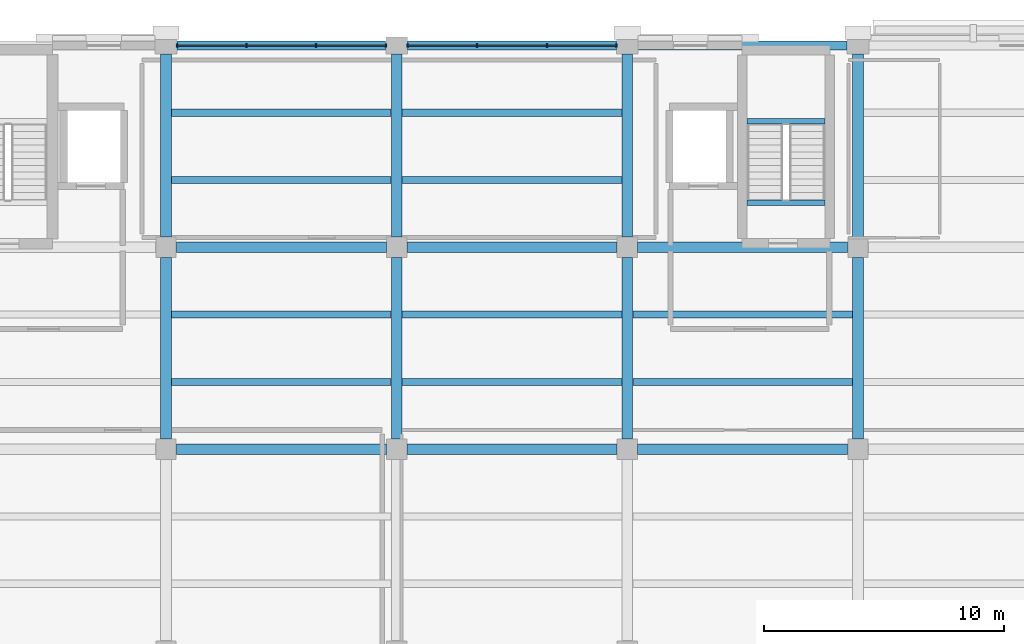
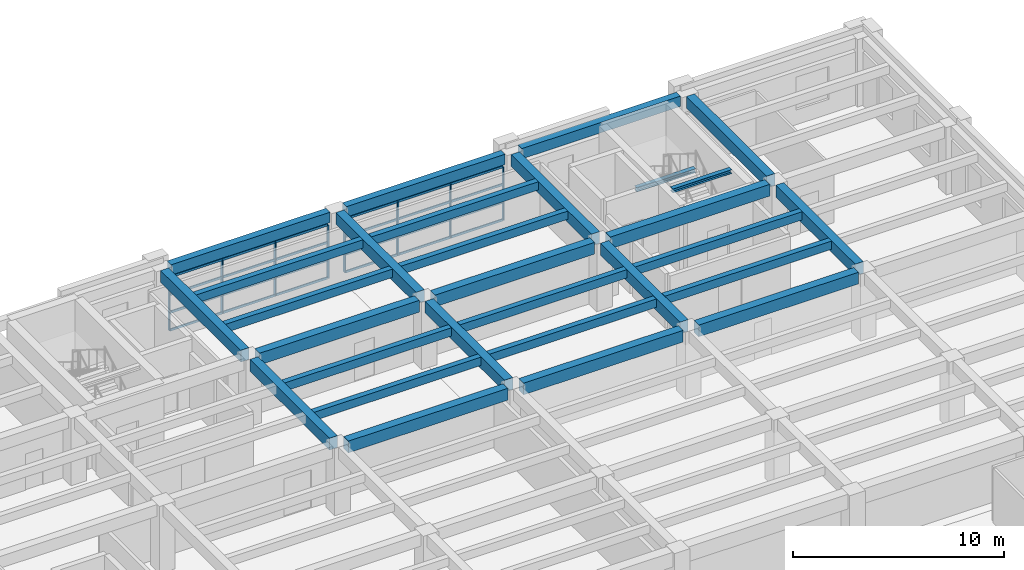
# One storey, part 31 of 71: 29 beams, 16 members, 2 elements without a shape of their own.
"""IFC4 building model written with IfcOpenShell, lengths in metres."""

import ifcopenshell
import ifcopenshell.guid

model = None  # the IFC model being written
_history = None  # IfcOwnerHistory: only IFC2X3 demands one
_inside = {}  # id of a spatial element -> (the spatial element, [elements in it])
_under = {}  # id of a project, library or spatial element -> (it, [spatial elements below it])
_declared = {}  # id of a project -> (the project, [libraries it declares])
_typed = {}  # id of a type object -> (the type object, [elements of that type])
_made_of = {}  # id of a material, layer set ... -> (it, [elements and type objects made of it])


def new_model(schema):
    """Start an empty IFC model of exactly this schema.

    Asked for "IFC4X3", IfcOpenShell would pick the latest addendum, in which some entities
    have other attributes; the version numbers below select the first issue.
    IFC2X3 requires an IfcOwnerHistory on every rooted entity: one is made here for all.
    """
    global model, _history
    if schema == "IFC4X3":
        model = ifcopenshell.file(schema_version=(4, 3, 0, 0))
    else:
        model = ifcopenshell.file(schema=schema)
    _inside.clear()
    _under.clear()
    _declared.clear()
    _typed.clear()
    _made_of.clear()
    _history = None
    if model.schema == "IFC2X3":
        org = make("IfcOrganization", Name="unknown")
        user = make(
            "IfcPersonAndOrganization",
            ThePerson=make("IfcPerson", FamilyName="unknown"),
            TheOrganization=org,
        )
        app = make(
            "IfcApplication",
            ApplicationDeveloper=org,
            Version="unknown",
            ApplicationFullName="unknown",
            ApplicationIdentifier="unknown",
        )
        _history = make(
            "IfcOwnerHistory",
            OwningUser=user,
            OwningApplication=app,
            ChangeAction="ADDED",
            CreationDate=0,
        )
    return model


def make(cls, **values):
    """One entity of the class cls with the attributes given. An attribute that is None is left unset."""
    return model.create_entity(
        cls, **{name: value for name, value in values.items() if value is not None}
    )


def rooted(cls, **values):
    """An entity with a GlobalId (a new one), such as an element, a storey or a relation."""
    return make(cls, GlobalId=ifcopenshell.guid.new(), OwnerHistory=_history, **values)


def si_unit(unit_type, name, prefix=None):
    """IfcSIUnit, for example si_unit("LENGTHUNIT", "METRE", prefix="MILLI")."""
    return make("IfcSIUnit", UnitType=unit_type, Prefix=prefix, Name=name)


def assignment(units):
    """IfcUnitAssignment: the units of a project."""
    return None if units is None else make("IfcUnitAssignment", Units=units)


def point(xyz):
    """IfcCartesianPoint."""
    return None if xyz is None else make("IfcCartesianPoint", Coordinates=xyz)


def direction(xyz):
    """IfcDirection."""
    return None if xyz is None else make("IfcDirection", DirectionRatios=xyz)


def frame(location, z_axis=None, x_axis=None):
    """IfcAxis2Placement3D, a coordinate frame: its origin and axes. An axis left out is left unset."""
    return make(
        "IfcAxis2Placement3D",
        Location=point(location),
        Axis=direction(z_axis),
        RefDirection=direction(x_axis),
    )


def frame_2d(location, x_axis=None):
    """IfcAxis2Placement2D, a coordinate frame in the plane: its origin and x axis."""
    return make(
        "IfcAxis2Placement2D", Location=point(location), RefDirection=direction(x_axis)
    )


def origin():
    """The frame at (0, 0, 0) with its axes left unset."""
    return frame((0.0, 0.0, 0.0))


def origin_2d():
    """The frame at (0, 0) in the plane with its x axis left unset."""
    return frame_2d((0.0, 0.0))


def place(relative_to, where):
    """IfcLocalPlacement: puts the frame where relative to a parent placement (None: the world)."""
    return make(
        "IfcLocalPlacement", PlacementRelTo=relative_to, RelativePlacement=where
    )


def context(
    kind, dimensions, precision=None, world=None, true_north=None, identifier=None
):
    """IfcGeometricRepresentationContext, for example the 3D "Model" context."""
    return make(
        "IfcGeometricRepresentationContext",
        ContextIdentifier=identifier,
        ContextType=kind,
        CoordinateSpaceDimension=dimensions,
        Precision=precision,
        WorldCoordinateSystem=world,
        TrueNorth=true_north,
    )


def subcontext(parent, identifier, kind, view, scale=None):
    """IfcGeometricRepresentationSubContext, for example "Body" below "Model"."""
    return make(
        "IfcGeometricRepresentationSubContext",
        ContextIdentifier=identifier,
        ContextType=kind,
        ParentContext=parent,
        TargetScale=scale,
        TargetView=view,
    )


def project(units=None, contexts=None):
    """IfcProject with its units and contexts."""
    return rooted(
        "IfcProject",
        Name="project",
        RepresentationContexts=contexts,
        UnitsInContext=assignment(units),
    )


def spatial(cls, under=None, at=None, **own):
    """A site, building, storey or space (cls), placed at a placement, below another one or the project."""
    s = rooted(cls, ObjectPlacement=at, **own)
    if under is not None:
        _under.setdefault(under.id(), (under, []))[1].append(s)
    return s


def profile(cls, at=None, kind="AREA", **sizes):
    """A parametric profile (cls). Its sizes go by their IFC names, for example OverallWidth=200.0."""
    return make(cls, ProfileType=kind, Position=at, **sizes)


def rectangle(**sizes):
    """IfcRectangleProfileDef."""
    return profile("IfcRectangleProfileDef", **sizes)


def i_section(**sizes):
    """IfcIShapeProfileDef."""
    return profile("IfcIShapeProfileDef", **sizes)


def extrude(swept, where, along, depth):
    """IfcExtrudedAreaSolid: the profile swept, set in the frame where, extruded along a direction by depth."""
    return make(
        "IfcExtrudedAreaSolid",
        SweptArea=swept,
        Position=where,
        ExtrudedDirection=direction(along),
        Depth=depth,
    )


def shape(context_of_items, identifier, shape_type, items):
    """IfcShapeRepresentation: the items that make up one representation, for example the "Body"."""
    return make(
        "IfcShapeRepresentation",
        ContextOfItems=context_of_items,
        RepresentationIdentifier=identifier,
        RepresentationType=shape_type,
        Items=items,
    )


def material(Name=None, Category=None):
    """IfcMaterial."""
    return make("IfcMaterial", Name=Name, Category=Category)


def layer(
    of_material, thickness, ventilated=None, Name=None, Category=None, Priority=None
):
    """IfcMaterialLayer: one layer of a wall or slab, of a material (None: an air gap)."""
    return make(
        "IfcMaterialLayer",
        Material=of_material,
        LayerThickness=thickness,
        IsVentilated=ventilated,
        Name=Name,
        Category=Category,
        Priority=Priority,
    )


def layer_set(layers, Name=None):
    """IfcMaterialLayerSet."""
    return make("IfcMaterialLayerSet", MaterialLayers=layers, LayerSetName=Name)


def material_profile(
    of_material, cross_section, Name=None, Category=None, Priority=None
):
    """IfcMaterialProfile: a cross section and its material."""
    return make(
        "IfcMaterialProfile",
        Name=Name,
        Material=of_material,
        Profile=cross_section,
        Priority=Priority,
        Category=Category,
    )


def profile_set(profiles, Name=None, composite=None):
    """IfcMaterialProfileSet."""
    return make(
        "IfcMaterialProfileSet",
        Name=Name,
        MaterialProfiles=profiles,
        CompositeProfile=composite,
    )


def made_of(thing, what):
    """Note that an element or type object is made of a material, layer set ...; save() writes the relation."""
    if what is not None:
        _made_of.setdefault(what.id(), (what, []))[1].append(thing)
    return thing


def type_object(cls, material=None, **own):
    """A type object (cls), such as IfcWallType, which elements share."""
    return made_of(rooted(cls, **own), material)


def element(
    cls,
    number,
    at=None,
    inside=None,
    cuts=None,
    type_object=None,
    material=None,
    context=None,
    identifier="Body",
    shape_type=None,
    held_by="IfcProductDefinitionShape",
    body=None,
    shapes=None,
    **own,
):
    """One element of the class cls, such as IfcWall. Its Tag is "e" and its number.

    at: its placement. inside: the storey or other place that contains it. cuts: it is an
    opening in that element (IfcRelVoidsElement). A single representation is given by context,
    identifier, shape_type and body (its items); several are given by shapes. held_by: the class
    of the entity that holds the representations. save() writes the other relations.
    """
    e = rooted(cls, Tag="e%d" % number, ObjectPlacement=at, **own)
    if body is not None:
        shapes = [shape(context, identifier, shape_type, body)]
    if shapes is not None:
        e.Representation = make(held_by, Representations=shapes)
    if inside is not None:
        _inside.setdefault(inside.id(), (inside, []))[1].append(e)
    if cuts is not None:
        rooted(
            "IfcRelVoidsElement", RelatingBuildingElement=cuts, RelatedOpeningElement=e
        )
    if type_object is not None:
        _typed.setdefault(type_object.id(), (type_object, []))[1].append(e)
    return made_of(e, material)


def aggregate(whole, parts):
    """IfcRelAggregates: a whole, such as a stair, and the parts it consists of."""
    return rooted("IfcRelAggregates", RelatingObject=whole, RelatedObjects=parts)


def save(model, path):
    """Write the relations noted so far, then the file.

    IfcRelAggregates (storeys below a building ...), IfcRelContainedInSpatialStructure (elements
    in a storey), IfcRelDefinesByType, IfcRelAssociatesMaterial and IfcRelDeclares: one each for
    every whole, place, type object, material and project.
    """
    for whole, parts in _under.values():
        aggregate(whole, parts)
    for where, things in _inside.values():
        rooted(
            "IfcRelContainedInSpatialStructure",
            RelatedElements=things,
            RelatingStructure=where,
        )
    for kind, things in _typed.values():
        rooted("IfcRelDefinesByType", RelatedObjects=things, RelatingType=kind)
    for what, things in _made_of.values():
        rooted("IfcRelAssociatesMaterial", RelatedObjects=things, RelatingMaterial=what)
    for by, libraries in _declared.values():
        rooted("IfcRelDeclares", RelatingContext=by, RelatedDefinitions=libraries)
    model.write(path)


model = new_model("IFC4")

# Units and contexts
model_context = context("Model", 3, precision=1e-05, world=origin(), true_north=direction((0.0, 1.0)))
body_context = subcontext(model_context, "Body", "Model", "MODEL_VIEW")
ifc_project = project(units=[si_unit("LENGTHUNIT", "METRE"), si_unit("AREAUNIT", "SQUARE_METRE"), si_unit("VOLUMEUNIT", "CUBIC_METRE"), si_unit("PLANEANGLEUNIT", "RADIAN"), si_unit("MASSUNIT", "GRAM", prefix="KILO")], contexts=[model_context])

# Site, building, storey
site_placement = place(None, origin())
site = spatial("IfcSite", under=ifc_project, at=site_placement, CompositionType="ELEMENT")
building_placement = place(site_placement, origin())
building = spatial("IfcBuilding", under=site, at=building_placement, Name="Bempovik Park Faculty of Sciences", CompositionType="ELEMENT")
storey_placement = place(building_placement, frame((0.0, 0.0, 14.10009765625)))
storey = spatial("IfcBuildingStorey", under=building, at=storey_placement, Name="L03", CompositionType="ELEMENT", Elevation=14.10009765625)

# Beams
ifc_material_1 = material(Name="Concrete C35/45", Category="concrete")
ifc_material_profile_1 = material_profile(ifc_material_1, rectangle(XDim=0.3798828125, YDim=0.60009765625, at=origin_2d()), Name="RC 380x600")
ifc_profile_set_1 = profile_set([ifc_material_profile_1], Name="Concrete C35/45")
beam_type_1 = type_object("IfcBeamType", Name="B-032 RC 380x600", PredefinedType="SPANDREL", material=ifc_profile_set_1)
for number, where, z_axis, x_axis, name in (
    (1, (79.656005859375, 119.39990234375, 3.599853515625), (1.0, 0.0, 0.0), (0.0, 1.0, 0.0), "L03 Beam X (79.2-88.8, y=119.4)"),
    (2, (89.256103515625, 119.39990234375, 3.599853515625), (1.0, 0.0, 0.0), (0.0, 1.0, 0.0), "L03 Beam X (88.8-98.4, y=119.4)"),
    (3, (98.85595703125, 119.39990234375, 3.599853515625), (1.0, 0.0, 0.0), (0.0, 1.0, 0.0), "L03 Beam X (98.4-108.0, y=119.4)"),
):
    element("IfcBeam", number, at=place(storey_placement, frame(where, z_axis=z_axis, x_axis=x_axis)), inside=storey, type_object=beam_type_1, Name=name, PredefinedType="SPANDREL", context=body_context, shape_type="SweptSolid", body=[
        extrude(rectangle(XDim=0.3798828125, YDim=0.60009765625, at=origin_2d()), origin(), (0.0, 0.0, 1.0), 8.68798828125),
    ])
ifc_material_profile_2 = material_profile(ifc_material_1, rectangle(XDim=0.300048828125, YDim=0.47998046875, at=origin_2d()), Name="RC 300x480")
ifc_profile_set_2 = profile_set([ifc_material_profile_2], Name="Concrete C35/45")
beam_type_2 = type_object("IfcBeamType", Name="B-039 RC 300x480", PredefinedType="JOIST", material=ifc_profile_set_2)
for number, where, z_axis, x_axis, name in (
    (4, (79.430908203125, 105.39990234375, 3.659912109375), (1.0, 0.0, 0.0), (0.0, 1.0, 0.0), "L03 Secondary Joist (79.2-88.8, y=105.40)"),
    (5, (79.430908203125, 108.199951171875, 3.659912109375), (1.0, 0.0, 0.0), (0.0, 1.0, 0.0), "L03 Secondary Joist (79.2-88.8, y=108.20)"),
    (6, (79.430908203125, 113.800048828125, 3.659912109375), (1.0, 0.0, 0.0), (0.0, 1.0, 0.0), "L03 Secondary Joist (79.2-88.8, y=113.80)"),
    (7, (79.430908203125, 116.60009765625, 3.659912109375), (1.0, 0.0, 0.0), (0.0, 1.0, 0.0), "L03 Secondary Joist (79.2-88.8, y=116.60)"),
):
    element("IfcBeam", number, at=place(storey_placement, frame(where, z_axis=z_axis, x_axis=x_axis)), inside=storey, type_object=beam_type_2, Name=name, PredefinedType="JOIST", context=body_context, shape_type="SweptSolid", body=[
        extrude(rectangle(XDim=0.300048828125, YDim=0.47998046875, at=origin_2d()), origin(), (0.0, 0.0, 1.0), 9.13818359375),
    ])
for number, where, z_axis, x_axis, name in (
    (8, (89.031005859375, 105.39990234375, 3.659912109375), (1.0, 0.0, 0.0), (0.0, 1.0, 0.0), "L03 Secondary Joist (88.8-98.4, y=105.40)"),
    (9, (89.031005859375, 108.199951171875, 3.659912109375), (1.0, 0.0, 0.0), (0.0, 1.0, 0.0), "L03 Secondary Joist (88.8-98.4, y=108.20)"),
    (10, (89.031005859375, 113.800048828125, 3.659912109375), (1.0, 0.0, 0.0), (0.0, 1.0, 0.0), "L03 Secondary Joist (88.8-98.4, y=113.80)"),
    (11, (89.031005859375, 116.60009765625, 3.659912109375), (1.0, 0.0, 0.0), (0.0, 1.0, 0.0), "L03 Secondary Joist (88.8-98.4, y=116.60)"),
    (12, (98.631103515625, 105.39990234375, 3.659912109375), (1.0, 0.0, 0.0), (0.0, 1.0, 0.0), "L03 Secondary Joist (98.4-108.0, y=105.40)"),
    (13, (98.631103515625, 108.199951171875, 3.659912109375), (1.0, 0.0, 0.0), (0.0, 1.0, 0.0), "L03 Secondary Joist (98.4-108.0, y=108.20)"),
):
    element("IfcBeam", number, at=place(storey_placement, frame(where, z_axis=z_axis, x_axis=x_axis)), inside=storey, type_object=beam_type_2, Name=name, PredefinedType="JOIST", context=body_context, shape_type="SweptSolid", body=[
        extrude(rectangle(XDim=0.300048828125, YDim=0.47998046875, at=origin_2d()), origin(), (0.0, 0.0, 1.0), 9.137939453125),
    ])
ifc_material_2 = material(Name="Steel S355", Category="steel")
ifc_material_profile_3 = material_profile(ifc_material_2, i_section(OverallWidth=0.239990234375, OverallDepth=0.22998046875, WebThickness=0.007568359375, FlangeThickness=0.011962890625, at=origin_2d()), Name="HEA 240")
ifc_profile_set_3 = profile_set([ifc_material_profile_3], Name="Steel S355")
beam_type_3 = type_object("IfcBeamType", Name="B-070 HEA 240", PredefinedType="BEAM", material=ifc_profile_set_3)
for number, where, z_axis, x_axis, name in (
    (14, (103.381103515625, 116.24365234375, 1.784912109375), (1.0, 0.0, 0.0), (0.0, 1.0, 0.0), "L03 ST-2 Half-Landing Trimmer Beam"),
    (15, (103.381103515625, 112.85009765625, 3.784912109375), (1.0, 0.0, 0.0), (0.0, 1.0, 0.0), "L04 ST-2 Floor Landing Trimmer Beam"),
):
    element("IfcBeam", number, at=place(storey_placement, frame(where, z_axis=z_axis, x_axis=x_axis)), inside=storey, type_object=beam_type_3, Name=name, PredefinedType="BEAM", context=body_context, shape_type="SweptSolid", body=[
        extrude(i_section(OverallWidth=0.239990234375, OverallDepth=0.22998046875, WebThickness=0.007568359375, FlangeThickness=0.011962890625, at=origin_2d()), origin(), (0.0, 0.0, 1.0), 3.23779296875),
    ])
ifc_material_profile_4 = material_profile(ifc_material_1, rectangle(XDim=0.449951171875, YDim=0.679931640625, at=origin_2d()), Name="RC 450x680")
ifc_profile_set_4 = profile_set([ifc_material_profile_4], Name="Concrete C35/45")
beam_type_4 = type_object("IfcBeamType", Name="B-113 RC 450x680", PredefinedType="BEAM", material=ifc_profile_set_4)
beam_1_placement = place(storey_placement, frame((79.631103515625, 102.60009765625, 3.559814453125), z_axis=(1.0, 0.0, 0.0), x_axis=(0.0, 1.0, 0.0)))
element("IfcBeam", 16, at=beam_1_placement, inside=storey, type_object=beam_type_4, Name="L03 Beam X (79.2-88.8, y=102.6)", PredefinedType="BEAM", context=body_context, shape_type="SweptSolid", body=[
    extrude(rectangle(XDim=0.449951171875, YDim=0.679931640625, at=origin_2d()), origin(), (0.0, 0.0, 1.0), 8.73779296875),
])
for number, where, z_axis, x_axis, name in (
    (17, (89.23095703125, 102.60009765625, 3.559814453125), (1.0, 0.0, 0.0), (0.0, 1.0, 0.0), "L03 Beam X (88.8-98.4, y=102.6)"),
    (18, (98.8310546875, 102.60009765625, 3.559814453125), (1.0, 0.0, 0.0), (0.0, 1.0, 0.0), "L03 Beam X (98.4-108.0, y=102.6)"),
):
    element("IfcBeam", number, at=place(storey_placement, frame(where, z_axis=z_axis, x_axis=x_axis)), inside=storey, type_object=beam_type_4, Name=name, PredefinedType="BEAM", context=body_context, shape_type="SweptSolid", body=[
        extrude(rectangle(XDim=0.449951171875, YDim=0.679931640625, at=origin_2d()), origin(), (0.0, 0.0, 1.0), 8.738037109375),
    ])
beam_2_placement = place(storey_placement, frame((79.631103515625, 111.0, 3.559814453125), z_axis=(1.0, 0.0, 0.0), x_axis=(0.0, 1.0, 0.0)))
element("IfcBeam", 19, at=beam_2_placement, inside=storey, type_object=beam_type_4, Name="L03 Beam X (79.2-88.8, y=111.0)", PredefinedType="BEAM", context=body_context, shape_type="SweptSolid", body=[
    extrude(rectangle(XDim=0.449951171875, YDim=0.679931640625, at=origin_2d()), origin(), (0.0, 0.0, 1.0), 8.73779296875),
])
for number, where, z_axis, x_axis, name in (
    (20, (89.23095703125, 111.0, 3.559814453125), (1.0, 0.0, 0.0), (0.0, 1.0, 0.0), "L03 Beam X (88.8-98.4, y=111.0)"),
    (21, (98.8310546875, 111.0, 3.559814453125), (1.0, 0.0, 0.0), (0.0, 1.0, 0.0), "L03 Beam X (98.4-108.0, y=111.0)"),
):
    element("IfcBeam", number, at=place(storey_placement, frame(where, z_axis=z_axis, x_axis=x_axis)), inside=storey, type_object=beam_type_4, Name=name, PredefinedType="BEAM", context=body_context, shape_type="SweptSolid", body=[
        extrude(rectangle(XDim=0.449951171875, YDim=0.679931640625, at=origin_2d()), origin(), (0.0, 0.0, 1.0), 8.738037109375),
    ])
beam_3_placement = place(storey_placement, frame((79.199951171875, 103.031005859375, 3.559814453125), z_axis=(0.0, 1.0, 0.0), x_axis=(-1.0, 0.0, 0.0)))
element("IfcBeam", 22, at=beam_3_placement, inside=storey, type_object=beam_type_4, Name="L03 Beam Y (x=79.2, 102.6-111.0)", PredefinedType="BEAM", context=body_context, shape_type="SweptSolid", body=[
    extrude(rectangle(XDim=0.449951171875, YDim=0.679931640625, at=origin_2d()), origin(), (0.0, 0.0, 1.0), 7.5380859375),
])
beam_4_placement = place(storey_placement, frame((79.199951171875, 111.430908203125, 3.559814453125), z_axis=(0.0, 1.0, 0.0), x_axis=(-1.0, 0.0, 0.0)))
element("IfcBeam", 23, at=beam_4_placement, inside=storey, type_object=beam_type_4, Name="L03 Beam Y (x=79.2, 111.0-119.4)", PredefinedType="BEAM", context=body_context, shape_type="SweptSolid", body=[
    extrude(rectangle(XDim=0.449951171875, YDim=0.679931640625, at=origin_2d()), origin(), (0.0, 0.0, 1.0), 7.613037109375),
])
beam_5_placement = place(storey_placement, frame((88.800048828125, 103.031005859375, 3.559814453125), z_axis=(0.0, 1.0, 0.0), x_axis=(-1.0, 0.0, 0.0)))
element("IfcBeam", 24, at=beam_5_placement, inside=storey, type_object=beam_type_4, Name="L03 Beam Y (x=88.8, 102.6-111.0)", PredefinedType="BEAM", context=body_context, shape_type="SweptSolid", body=[
    extrude(rectangle(XDim=0.449951171875, YDim=0.679931640625, at=origin_2d()), origin(), (0.0, 0.0, 1.0), 7.5380859375),
])
beam_6_placement = place(storey_placement, frame((88.800048828125, 111.430908203125, 3.559814453125), z_axis=(0.0, 1.0, 0.0), x_axis=(-1.0, 0.0, 0.0)))
element("IfcBeam", 25, at=beam_6_placement, inside=storey, type_object=beam_type_4, Name="L03 Beam Y (x=88.8, 111.0-119.4)", PredefinedType="BEAM", context=body_context, shape_type="SweptSolid", body=[
    extrude(rectangle(XDim=0.449951171875, YDim=0.679931640625, at=origin_2d()), origin(), (0.0, 0.0, 1.0), 7.613037109375),
])
beam_7_placement = place(storey_placement, frame((98.39990234375, 103.031005859375, 3.559814453125), z_axis=(0.0, 1.0, 0.0), x_axis=(-1.0, 0.0, 0.0)))
element("IfcBeam", 26, at=beam_7_placement, inside=storey, type_object=beam_type_4, Name="L03 Beam Y (x=98.4, 102.6-111.0)", PredefinedType="BEAM", context=body_context, shape_type="SweptSolid", body=[
    extrude(rectangle(XDim=0.449951171875, YDim=0.679931640625, at=origin_2d()), origin(), (0.0, 0.0, 1.0), 7.5380859375),
])
beam_8_placement = place(storey_placement, frame((98.39990234375, 111.430908203125, 3.559814453125), z_axis=(0.0, 1.0, 0.0), x_axis=(-1.0, 0.0, 0.0)))
element("IfcBeam", 27, at=beam_8_placement, inside=storey, type_object=beam_type_4, Name="L03 Beam Y (x=98.4, 111.0-119.4)", PredefinedType="BEAM", context=body_context, shape_type="SweptSolid", body=[
    extrude(rectangle(XDim=0.449951171875, YDim=0.679931640625, at=origin_2d()), origin(), (0.0, 0.0, 1.0), 7.613037109375),
])
beam_9_placement = place(storey_placement, frame((108.0, 103.031005859375, 3.559814453125), z_axis=(0.0, 1.0, 0.0), x_axis=(-1.0, 0.0, 0.0)))
element("IfcBeam", 28, at=beam_9_placement, inside=storey, type_object=beam_type_4, Name="L03 Beam Y (x=108.0, 102.6-111.0)", PredefinedType="BEAM", context=body_context, shape_type="SweptSolid", body=[
    extrude(rectangle(XDim=0.449951171875, YDim=0.679931640625, at=origin_2d()), origin(), (0.0, 0.0, 1.0), 7.5380859375),
])
beam_10_placement = place(storey_placement, frame((108.0, 111.430908203125, 3.559814453125), z_axis=(0.0, 1.0, 0.0), x_axis=(-1.0, 0.0, 0.0)))
element("IfcBeam", 29, at=beam_10_placement, inside=storey, type_object=beam_type_4, Name="L03 Beam Y (x=108.0, 111.0-119.4)", PredefinedType="BEAM", context=body_context, shape_type="SweptSolid", body=[
    extrude(rectangle(XDim=0.449951171875, YDim=0.679931640625, at=origin_2d()), origin(), (0.0, 0.0, 1.0), 7.613037109375),
])

# Curtain wall, members
ifc_material_3 = material(Name="Tempered laminated low-E glass", Category="glass")
ifc_layer = layer(ifc_material_3, 0.159912109375)
ifc_layer_set = layer_set([ifc_layer], Name="Tempered laminated low-E glass")
curtain_wall_type = type_object("IfcCurtainWallType", Name="CW-24 Curtain 7000x3500", PredefinedType="USERDEFINED", material=ifc_layer_set)
curtain_wall_1_placement = place(storey_placement, origin())
curtain_wall_1 = element("IfcCurtainWall", 30, at=curtain_wall_1_placement, inside=storey, type_object=curtain_wall_type, Name="L03 Unitised Curtain Wall (119.4,79.2)", ObjectType="UNITISED CURTAIN WALL", PredefinedType="USERDEFINED")
ifc_material_4 = material(Name="Anodised architectural bronze", Category="aluminium")
ifc_material_profile_5 = material_profile(ifc_material_4, rectangle(XDim=0.06005859375, YDim=0.159912109375, at=origin_2d()), Name="ALU-M 60x160")
ifc_profile_set_5 = profile_set([ifc_material_profile_5], Name="Anodised architectural bronze")
member_type_1 = type_object("IfcMemberType", Name="ML-21 ALU-M 60x160", PredefinedType="MULLION", material=ifc_profile_set_5)
member_1_placement = place(storey_placement, frame((79.652099609375, 119.39990234375, 0.0), z_axis=(0.0, 0.0, 1.0), x_axis=(1.0, 0.0, 0.0)))
member_1 = element("IfcMember", 31, at=member_1_placement, type_object=member_type_1, Name="CW-BAY-L03-1194-792 Mullion 0", PredefinedType="MULLION", context=body_context, shape_type="SweptSolid", body=[
    extrude(rectangle(XDim=0.06005859375, YDim=0.159912109375, at=origin_2d()), origin(), (0.0, 0.0, 1.0), 3.079833984375),
])
member_2_placement = place(storey_placement, frame((82.55078125, 119.39990234375, 0.0), z_axis=(0.0, 0.0, 1.0), x_axis=(1.0, 0.0, 0.0)))
member_2 = element("IfcMember", 32, at=member_2_placement, type_object=member_type_1, Name="CW-BAY-L03-1194-792 Mullion 1", PredefinedType="MULLION", context=body_context, shape_type="SweptSolid", body=[
    extrude(rectangle(XDim=0.06005859375, YDim=0.159912109375, at=origin_2d()), origin(), (0.0, 0.0, 1.0), 3.079833984375),
])
member_3_placement = place(storey_placement, frame((85.44921875, 119.39990234375, 0.0), z_axis=(0.0, 0.0, 1.0), x_axis=(1.0, 0.0, 0.0)))
member_3 = element("IfcMember", 33, at=member_3_placement, type_object=member_type_1, Name="CW-BAY-L03-1194-792 Mullion 2", PredefinedType="MULLION", context=body_context, shape_type="SweptSolid", body=[
    extrude(rectangle(XDim=0.06005859375, YDim=0.159912109375, at=origin_2d()), origin(), (0.0, 0.0, 1.0), 3.079833984375),
])
member_4_placement = place(storey_placement, frame((88.347900390625, 119.39990234375, 0.0), z_axis=(0.0, 0.0, 1.0), x_axis=(1.0, 0.0, 0.0)))
member_4 = element("IfcMember", 34, at=member_4_placement, type_object=member_type_1, Name="CW-BAY-L03-1194-792 Mullion 3", PredefinedType="MULLION", context=body_context, shape_type="SweptSolid", body=[
    extrude(rectangle(XDim=0.06005859375, YDim=0.159912109375, at=origin_2d()), origin(), (0.0, 0.0, 1.0), 3.079833984375),
])

curtain_wall_2_placement = place(storey_placement, origin())
curtain_wall_2 = element("IfcCurtainWall", 35, at=curtain_wall_2_placement, inside=storey, type_object=curtain_wall_type, Name="L03 Unitised Curtain Wall (119.4,88.8)", ObjectType="UNITISED CURTAIN WALL", PredefinedType="USERDEFINED")
member_5_placement = place(storey_placement, frame((89.251953125, 119.39990234375, 0.0), z_axis=(0.0, 0.0, 1.0), x_axis=(1.0, 0.0, 0.0)))
member_5 = element("IfcMember", 36, at=member_5_placement, type_object=member_type_1, Name="CW-BAY-L03-1194-888 Mullion 0", PredefinedType="MULLION", context=body_context, shape_type="SweptSolid", body=[
    extrude(rectangle(XDim=0.06005859375, YDim=0.159912109375, at=origin_2d()), origin(), (0.0, 0.0, 1.0), 3.079833984375),
])
member_6_placement = place(storey_placement, frame((92.150634765625, 119.39990234375, 0.0), z_axis=(0.0, 0.0, 1.0), x_axis=(1.0, 0.0, 0.0)))
member_6 = element("IfcMember", 37, at=member_6_placement, type_object=member_type_1, Name="CW-BAY-L03-1194-888 Mullion 1", PredefinedType="MULLION", context=body_context, shape_type="SweptSolid", body=[
    extrude(rectangle(XDim=0.06005859375, YDim=0.159912109375, at=origin_2d()), origin(), (0.0, 0.0, 1.0), 3.079833984375),
])
member_7_placement = place(storey_placement, frame((95.04931640625, 119.39990234375, 0.0), z_axis=(0.0, 0.0, 1.0), x_axis=(1.0, 0.0, 0.0)))
member_7 = element("IfcMember", 38, at=member_7_placement, type_object=member_type_1, Name="CW-BAY-L03-1194-888 Mullion 2", PredefinedType="MULLION", context=body_context, shape_type="SweptSolid", body=[
    extrude(rectangle(XDim=0.06005859375, YDim=0.159912109375, at=origin_2d()), origin(), (0.0, 0.0, 1.0), 3.079833984375),
])
member_8_placement = place(storey_placement, frame((97.947998046875, 119.39990234375, 0.0), z_axis=(0.0, 0.0, 1.0), x_axis=(1.0, 0.0, 0.0)))
member_8 = element("IfcMember", 39, at=member_8_placement, type_object=member_type_1, Name="CW-BAY-L03-1194-888 Mullion 3", PredefinedType="MULLION", context=body_context, shape_type="SweptSolid", body=[
    extrude(rectangle(XDim=0.06005859375, YDim=0.159912109375, at=origin_2d()), origin(), (0.0, 0.0, 1.0), 3.079833984375),
])

# Member
ifc_material_profile_6 = material_profile(ifc_material_4, rectangle(XDim=0.06005859375, YDim=0.1298828125, at=origin_2d()), Name="ALU-T 60x130")
ifc_profile_set_6 = profile_set([ifc_material_profile_6], Name="Anodised architectural bronze")
member_type_2 = type_object("IfcMemberType", Name="TR-25 ALU-T 60x130", PredefinedType="USERDEFINED", material=ifc_profile_set_6)
member_9_placement = place(storey_placement, frame((79.69189453125, 119.39990234375, 0.0), z_axis=(1.0, 0.0, 0.0), x_axis=(0.0, 1.0, 0.0)))
member_9 = element("IfcMember", 40, at=member_9_placement, type_object=member_type_2, Name="CW-BAY-L03-1194-792 Transom 0", ObjectType="TRANSOM", PredefinedType="USERDEFINED", context=body_context, shape_type="SweptSolid", body=[
    extrude(rectangle(XDim=0.06005859375, YDim=0.1298828125, at=origin_2d()), origin(), (0.0, 0.0, 1.0), 8.6162109375),
])

member_10_placement = place(storey_placement, frame((79.69189453125, 119.39990234375, 1.026611328125), z_axis=(1.0, 0.0, 0.0), x_axis=(0.0, 1.0, 0.0)))
member_10 = element("IfcMember", 41, at=member_10_placement, type_object=member_type_2, Name="CW-BAY-L03-1194-792 Transom 1", ObjectType="TRANSOM", PredefinedType="USERDEFINED", context=body_context, shape_type="SweptSolid", body=[
    extrude(rectangle(XDim=0.06005859375, YDim=0.1298828125, at=origin_2d()), origin(), (0.0, 0.0, 1.0), 8.6162109375),
])

member_11_placement = place(storey_placement, frame((79.69189453125, 119.39990234375, 2.05322265625), z_axis=(1.0, 0.0, 0.0), x_axis=(0.0, 1.0, 0.0)))
member_11 = element("IfcMember", 42, at=member_11_placement, type_object=member_type_2, Name="CW-BAY-L03-1194-792 Transom 2", ObjectType="TRANSOM", PredefinedType="USERDEFINED", context=body_context, shape_type="SweptSolid", body=[
    extrude(rectangle(XDim=0.06005859375, YDim=0.1298828125, at=origin_2d()), origin(), (0.0, 0.0, 1.0), 8.6162109375),
])

member_12_placement = place(storey_placement, frame((79.69189453125, 119.39990234375, 3.079833984375), z_axis=(1.0, 0.0, 0.0), x_axis=(0.0, 1.0, 0.0)))
member_12 = element("IfcMember", 43, at=member_12_placement, type_object=member_type_2, Name="CW-BAY-L03-1194-792 Transom 3", ObjectType="TRANSOM", PredefinedType="USERDEFINED", context=body_context, shape_type="SweptSolid", body=[
    extrude(rectangle(XDim=0.06005859375, YDim=0.1298828125, at=origin_2d()), origin(), (0.0, 0.0, 1.0), 8.6162109375),
])

aggregate(curtain_wall_1, [member_1, member_2, member_3, member_4, member_9, member_10, member_11, member_12])

member_13_placement = place(storey_placement, frame((89.2919921875, 119.39990234375, 0.0), z_axis=(1.0, 0.0, 0.0), x_axis=(0.0, 1.0, 0.0)))
member_13 = element("IfcMember", 44, at=member_13_placement, type_object=member_type_2, Name="CW-BAY-L03-1194-888 Transom 0", ObjectType="TRANSOM", PredefinedType="USERDEFINED", context=body_context, shape_type="SweptSolid", body=[
    extrude(rectangle(XDim=0.06005859375, YDim=0.1298828125, at=origin_2d()), origin(), (0.0, 0.0, 1.0), 8.615966796875),
])

member_14_placement = place(storey_placement, frame((89.2919921875, 119.39990234375, 1.026611328125), z_axis=(1.0, 0.0, 0.0), x_axis=(0.0, 1.0, 0.0)))
member_14 = element("IfcMember", 45, at=member_14_placement, type_object=member_type_2, Name="CW-BAY-L03-1194-888 Transom 1", ObjectType="TRANSOM", PredefinedType="USERDEFINED", context=body_context, shape_type="SweptSolid", body=[
    extrude(rectangle(XDim=0.06005859375, YDim=0.1298828125, at=origin_2d()), origin(), (0.0, 0.0, 1.0), 8.615966796875),
])

member_15_placement = place(storey_placement, frame((89.2919921875, 119.39990234375, 2.05322265625), z_axis=(1.0, 0.0, 0.0), x_axis=(0.0, 1.0, 0.0)))
member_15 = element("IfcMember", 46, at=member_15_placement, type_object=member_type_2, Name="CW-BAY-L03-1194-888 Transom 2", ObjectType="TRANSOM", PredefinedType="USERDEFINED", context=body_context, shape_type="SweptSolid", body=[
    extrude(rectangle(XDim=0.06005859375, YDim=0.1298828125, at=origin_2d()), origin(), (0.0, 0.0, 1.0), 8.615966796875),
])

member_16_placement = place(storey_placement, frame((89.2919921875, 119.39990234375, 3.079833984375), z_axis=(1.0, 0.0, 0.0), x_axis=(0.0, 1.0, 0.0)))
member_16 = element("IfcMember", 47, at=member_16_placement, type_object=member_type_2, Name="CW-BAY-L03-1194-888 Transom 3", ObjectType="TRANSOM", PredefinedType="USERDEFINED", context=body_context, shape_type="SweptSolid", body=[
    extrude(rectangle(XDim=0.06005859375, YDim=0.1298828125, at=origin_2d()), origin(), (0.0, 0.0, 1.0), 8.615966796875),
])

aggregate(curtain_wall_2, [member_5, member_6, member_7, member_8, member_13, member_14, member_15, member_16])

save(model, "model.ifc")
